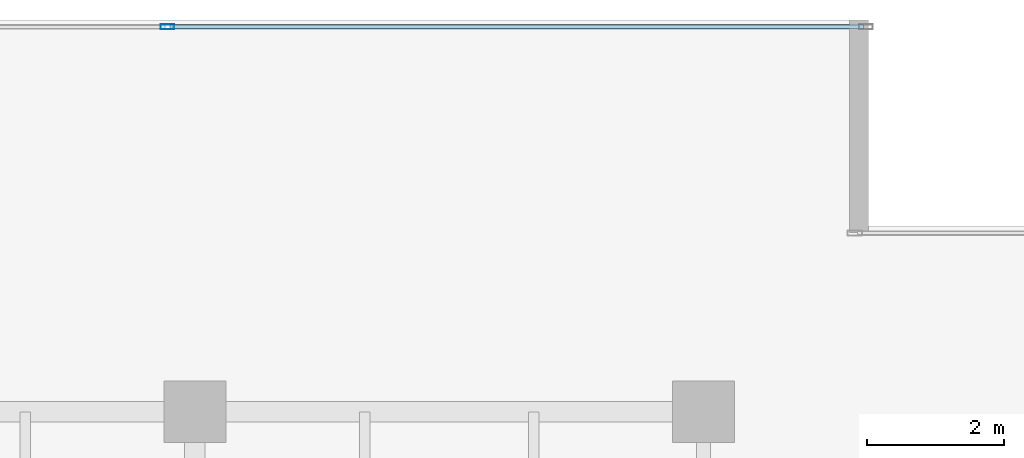
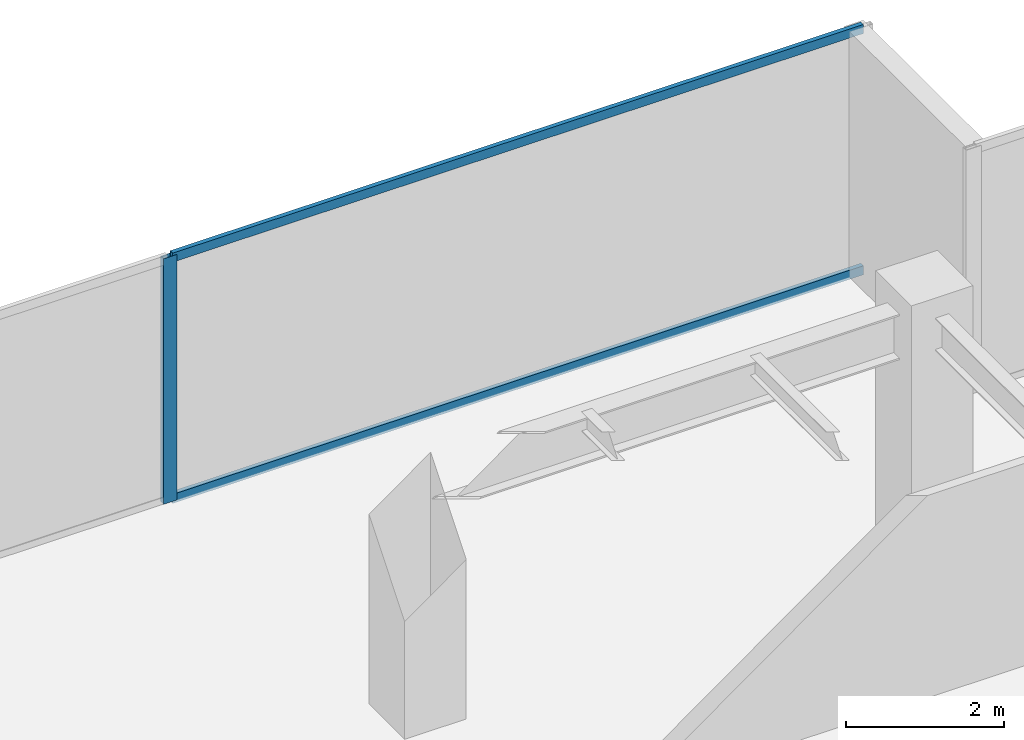
# One storey, part 20 of 30: 3 members, 1 element without a shape of its own.
"""IFC4 building model written with IfcOpenShell, lengths in metres."""

import ifcopenshell
import ifcopenshell.guid

model = None  # the IFC model being written
_history = None  # IfcOwnerHistory: only IFC2X3 demands one
_inside = {}  # id of a spatial element -> (the spatial element, [elements in it])
_under = {}  # id of a project, library or spatial element -> (it, [spatial elements below it])
_declared = {}  # id of a project -> (the project, [libraries it declares])
_typed = {}  # id of a type object -> (the type object, [elements of that type])
_made_of = {}  # id of a material, layer set ... -> (it, [elements and type objects made of it])


def new_model(schema):
    """Start an empty IFC model of exactly this schema.

    Asked for "IFC4X3", IfcOpenShell would pick the latest addendum, in which some entities
    have other attributes; the version numbers below select the first issue.
    IFC2X3 requires an IfcOwnerHistory on every rooted entity: one is made here for all.
    """
    global model, _history
    if schema == "IFC4X3":
        model = ifcopenshell.file(schema_version=(4, 3, 0, 0))
    else:
        model = ifcopenshell.file(schema=schema)
    _inside.clear()
    _under.clear()
    _declared.clear()
    _typed.clear()
    _made_of.clear()
    _history = None
    if model.schema == "IFC2X3":
        org = make("IfcOrganization", Name="unknown")
        user = make(
            "IfcPersonAndOrganization",
            ThePerson=make("IfcPerson", FamilyName="unknown"),
            TheOrganization=org,
        )
        app = make(
            "IfcApplication",
            ApplicationDeveloper=org,
            Version="unknown",
            ApplicationFullName="unknown",
            ApplicationIdentifier="unknown",
        )
        _history = make(
            "IfcOwnerHistory",
            OwningUser=user,
            OwningApplication=app,
            ChangeAction="ADDED",
            CreationDate=0,
        )
    return model


def make(cls, **values):
    """One entity of the class cls with the attributes given. An attribute that is None is left unset."""
    return model.create_entity(
        cls, **{name: value for name, value in values.items() if value is not None}
    )


def rooted(cls, **values):
    """An entity with a GlobalId (a new one), such as an element, a storey or a relation."""
    return make(cls, GlobalId=ifcopenshell.guid.new(), OwnerHistory=_history, **values)


def si_unit(unit_type, name, prefix=None):
    """IfcSIUnit, for example si_unit("LENGTHUNIT", "METRE", prefix="MILLI")."""
    return make("IfcSIUnit", UnitType=unit_type, Prefix=prefix, Name=name)


def assignment(units):
    """IfcUnitAssignment: the units of a project."""
    return None if units is None else make("IfcUnitAssignment", Units=units)


def point(xyz):
    """IfcCartesianPoint."""
    return None if xyz is None else make("IfcCartesianPoint", Coordinates=xyz)


def direction(xyz):
    """IfcDirection."""
    return None if xyz is None else make("IfcDirection", DirectionRatios=xyz)


def frame(location, z_axis=None, x_axis=None):
    """IfcAxis2Placement3D, a coordinate frame: its origin and axes. An axis left out is left unset."""
    return make(
        "IfcAxis2Placement3D",
        Location=point(location),
        Axis=direction(z_axis),
        RefDirection=direction(x_axis),
    )


def frame_2d(location, x_axis=None):
    """IfcAxis2Placement2D, a coordinate frame in the plane: its origin and x axis."""
    return make(
        "IfcAxis2Placement2D", Location=point(location), RefDirection=direction(x_axis)
    )


def origin():
    """The frame at (0, 0, 0) with its axes left unset."""
    return frame((0.0, 0.0, 0.0))


def origin_2d():
    """The frame at (0, 0) in the plane with its x axis left unset."""
    return frame_2d((0.0, 0.0))


def place(relative_to, where):
    """IfcLocalPlacement: puts the frame where relative to a parent placement (None: the world)."""
    return make(
        "IfcLocalPlacement", PlacementRelTo=relative_to, RelativePlacement=where
    )


def context(
    kind, dimensions, precision=None, world=None, true_north=None, identifier=None
):
    """IfcGeometricRepresentationContext, for example the 3D "Model" context."""
    return make(
        "IfcGeometricRepresentationContext",
        ContextIdentifier=identifier,
        ContextType=kind,
        CoordinateSpaceDimension=dimensions,
        Precision=precision,
        WorldCoordinateSystem=world,
        TrueNorth=true_north,
    )


def subcontext(parent, identifier, kind, view, scale=None):
    """IfcGeometricRepresentationSubContext, for example "Body" below "Model"."""
    return make(
        "IfcGeometricRepresentationSubContext",
        ContextIdentifier=identifier,
        ContextType=kind,
        ParentContext=parent,
        TargetScale=scale,
        TargetView=view,
    )


def project(units=None, contexts=None):
    """IfcProject with its units and contexts."""
    return rooted(
        "IfcProject",
        Name="project",
        RepresentationContexts=contexts,
        UnitsInContext=assignment(units),
    )


def spatial(cls, under=None, at=None, **own):
    """A site, building, storey or space (cls), placed at a placement, below another one or the project."""
    s = rooted(cls, ObjectPlacement=at, **own)
    if under is not None:
        _under.setdefault(under.id(), (under, []))[1].append(s)
    return s


def profile(cls, at=None, kind="AREA", **sizes):
    """A parametric profile (cls). Its sizes go by their IFC names, for example OverallWidth=200.0."""
    return make(cls, ProfileType=kind, Position=at, **sizes)


def hollow_rectangle(**sizes):
    """IfcRectangleHollowProfileDef."""
    return profile("IfcRectangleHollowProfileDef", **sizes)


def extrude(swept, where, along, depth):
    """IfcExtrudedAreaSolid: the profile swept, set in the frame where, extruded along a direction by depth."""
    return make(
        "IfcExtrudedAreaSolid",
        SweptArea=swept,
        Position=where,
        ExtrudedDirection=direction(along),
        Depth=depth,
    )


def shape(context_of_items, identifier, shape_type, items):
    """IfcShapeRepresentation: the items that make up one representation, for example the "Body"."""
    return make(
        "IfcShapeRepresentation",
        ContextOfItems=context_of_items,
        RepresentationIdentifier=identifier,
        RepresentationType=shape_type,
        Items=items,
    )


def source(mapping_origin, context_of_items, identifier, shape_type, items):
    """IfcRepresentationMap: a shape defined once, which mapped items show again and again."""
    return make(
        "IfcRepresentationMap",
        MappingOrigin=mapping_origin,
        MappedRepresentation=shape(context_of_items, identifier, shape_type, items),
    )


def transform(
    local_origin,
    x_axis=None,
    y_axis=None,
    z_axis=None,
    scale=None,
    scale2=None,
    scale3=None,
    uniform=True,
):
    """IfcCartesianTransformationOperator3D, or its non-uniform kind. x_axis, y_axis, z_axis: its Axis1, 2, 3."""
    if uniform:
        return make(
            "IfcCartesianTransformationOperator3D",
            Axis1=direction(x_axis),
            Axis2=direction(y_axis),
            LocalOrigin=point(local_origin),
            Scale=scale,
            Axis3=direction(z_axis),
        )
    return make(
        "IfcCartesianTransformationOperator3DnonUniform",
        Axis1=direction(x_axis),
        Axis2=direction(y_axis),
        LocalOrigin=point(local_origin),
        Scale=scale,
        Axis3=direction(z_axis),
        Scale2=scale2,
        Scale3=scale3,
    )


def mapped(mapping_source, mapping_target):
    """IfcMappedItem: shows the shape of a source again, moved by a transform."""
    return make(
        "IfcMappedItem", MappingSource=mapping_source, MappingTarget=mapping_target
    )


def material(Name=None, Category=None):
    """IfcMaterial."""
    return make("IfcMaterial", Name=Name, Category=Category)


def layer(
    of_material, thickness, ventilated=None, Name=None, Category=None, Priority=None
):
    """IfcMaterialLayer: one layer of a wall or slab, of a material (None: an air gap)."""
    return make(
        "IfcMaterialLayer",
        Material=of_material,
        LayerThickness=thickness,
        IsVentilated=ventilated,
        Name=Name,
        Category=Category,
        Priority=Priority,
    )


def layer_set(layers, Name=None):
    """IfcMaterialLayerSet."""
    return make("IfcMaterialLayerSet", MaterialLayers=layers, LayerSetName=Name)


def material_profile(
    of_material, cross_section, Name=None, Category=None, Priority=None
):
    """IfcMaterialProfile: a cross section and its material."""
    return make(
        "IfcMaterialProfile",
        Name=Name,
        Material=of_material,
        Profile=cross_section,
        Priority=Priority,
        Category=Category,
    )


def profile_set(profiles, Name=None, composite=None):
    """IfcMaterialProfileSet."""
    return make(
        "IfcMaterialProfileSet",
        Name=Name,
        MaterialProfiles=profiles,
        CompositeProfile=composite,
    )


def made_of(thing, what):
    """Note that an element or type object is made of a material, layer set ...; save() writes the relation."""
    if what is not None:
        _made_of.setdefault(what.id(), (what, []))[1].append(thing)
    return thing


def type_object(cls, material=None, **own):
    """A type object (cls), such as IfcWallType, which elements share."""
    return made_of(rooted(cls, **own), material)


def type_shapes(of_type, sources):
    """Give a type object the sources (RepresentationMaps) that its elements show as mapped items."""
    of_type.RepresentationMaps = sources


def element(
    cls,
    number,
    at=None,
    inside=None,
    cuts=None,
    type_object=None,
    material=None,
    context=None,
    identifier="Body",
    shape_type=None,
    held_by="IfcProductDefinitionShape",
    body=None,
    shapes=None,
    **own,
):
    """One element of the class cls, such as IfcWall. Its Tag is "e" and its number.

    at: its placement. inside: the storey or other place that contains it. cuts: it is an
    opening in that element (IfcRelVoidsElement). A single representation is given by context,
    identifier, shape_type and body (its items); several are given by shapes. held_by: the class
    of the entity that holds the representations. save() writes the other relations.
    """
    e = rooted(cls, Tag="e%d" % number, ObjectPlacement=at, **own)
    if body is not None:
        shapes = [shape(context, identifier, shape_type, body)]
    if shapes is not None:
        e.Representation = make(held_by, Representations=shapes)
    if inside is not None:
        _inside.setdefault(inside.id(), (inside, []))[1].append(e)
    if cuts is not None:
        rooted(
            "IfcRelVoidsElement", RelatingBuildingElement=cuts, RelatedOpeningElement=e
        )
    if type_object is not None:
        _typed.setdefault(type_object.id(), (type_object, []))[1].append(e)
    return made_of(e, material)


def aggregate(whole, parts):
    """IfcRelAggregates: a whole, such as a stair, and the parts it consists of."""
    return rooted("IfcRelAggregates", RelatingObject=whole, RelatedObjects=parts)


def save(model, path):
    """Write the relations noted so far, then the file.

    IfcRelAggregates (storeys below a building ...), IfcRelContainedInSpatialStructure (elements
    in a storey), IfcRelDefinesByType, IfcRelAssociatesMaterial and IfcRelDeclares: one each for
    every whole, place, type object, material and project.
    """
    for whole, parts in _under.values():
        aggregate(whole, parts)
    for where, things in _inside.values():
        rooted(
            "IfcRelContainedInSpatialStructure",
            RelatedElements=things,
            RelatingStructure=where,
        )
    for kind, things in _typed.values():
        rooted("IfcRelDefinesByType", RelatedObjects=things, RelatingType=kind)
    for what, things in _made_of.values():
        rooted("IfcRelAssociatesMaterial", RelatedObjects=things, RelatingMaterial=what)
    for by, libraries in _declared.values():
        rooted("IfcRelDeclares", RelatingContext=by, RelatedDefinitions=libraries)
    model.write(path)


model = new_model("IFC4")

# Units and contexts
model_context = context("Model", 3, precision=1e-05, world=origin(), true_north=direction((0.0, 1.0)))
body_context = subcontext(model_context, "Body", "Model", "MODEL_VIEW")
ifc_project = project(units=[si_unit("LENGTHUNIT", "METRE"), si_unit("AREAUNIT", "SQUARE_METRE"), si_unit("VOLUMEUNIT", "CUBIC_METRE"), si_unit("PLANEANGLEUNIT", "RADIAN"), si_unit("MASSUNIT", "GRAM", prefix="KILO")], contexts=[model_context])

# Site, building, storey
site_placement = place(None, origin())
site = spatial("IfcSite", under=ifc_project, at=site_placement, CompositionType="ELEMENT")
building_placement = place(site_placement, origin())
building = spatial("IfcBuilding", under=site, at=building_placement, Name="Haelvirn Gate Laboratories", CompositionType="ELEMENT")
storey_placement = place(building_placement, frame((0.0, 0.0, 121.5)))
storey = spatial("IfcBuildingStorey", under=building, at=storey_placement, Name="L29", CompositionType="ELEMENT", Elevation=121.5)

# Curtain wall, members
ifc_material_1 = material(Name="Anodised bronze unitised aluminium & triple low-E glass", Category="aluminium")
ifc_layer = layer(ifc_material_1, 0.179931640625, Name="CW-SYS-3")
ifc_layer_set = layer_set([ifc_layer], Name="Anodised bronze unitised aluminium & triple low-E glass")
curtain_wall_type = type_object("IfcCurtainWallType", Name="CW-SYS-3", PredefinedType="NOTDEFINED", material=ifc_layer_set)
curtain_wall_placement = place(storey_placement, origin())
curtain_wall = element("IfcCurtainWall", 1, at=curtain_wall_placement, inside=storey, type_object=curtain_wall_type, Name="L29 Unitised Curtain Wall CW-L29-P0-E10-1", PredefinedType="NOTDEFINED")
ifc_material_2 = material(Name="Extruded aluminium 6063-T6 (anodised bronze)", Category="aluminium")
ifc_material_profile_1 = material_profile(ifc_material_2, hollow_rectangle(XDim=0.06494140625, YDim=0.139892578125, WallThickness=0.00390625, at=origin_2d()), Name="CWT-140x65x4")
ifc_profile_set_1 = profile_set([ifc_material_profile_1], Name="Extruded aluminium 6063-T6 (anodised bronze)")
member_type_1 = type_object("IfcMemberType", Name="CWT-T140", PredefinedType="USERDEFINED", material=ifc_profile_set_1)
shared_shape_1 = source(origin(), body_context, "Body", "SweptSolid", [
    extrude(hollow_rectangle(XDim=0.06494140625, YDim=0.139892578125, WallThickness=0.00390625, at=origin_2d()), origin(), (0.0, 0.0, 1.0), 10.087646484375),
])
type_shapes(member_type_1, [shared_shape_1])
member_1_placement = place(storey_placement, frame((59.637451171875, 47.199951171875, 0.032470703125), z_axis=(1.0, 0.0, 0.0), x_axis=(0.0, 1.0, 0.0)))
member_1 = element("IfcMember", 2, at=member_1_placement, type_object=member_type_1, Name="CW3 transom 2.1", ObjectType="TRANSOM", PredefinedType="USERDEFINED", context=body_context, shape_type="MappedRepresentation", body=[
    mapped(shared_shape_1, transform((0.0, 0.0, 0.0), scale=1.0)),
])
member_2_placement = place(storey_placement, frame((59.637451171875, 47.199951171875, 3.757568359375), z_axis=(1.0, 0.0, 0.0), x_axis=(0.0, 1.0, 0.0)))
member_2 = element("IfcMember", 3, at=member_2_placement, type_object=member_type_1, Name="CW3 transom 2.2", ObjectType="TRANSOM", PredefinedType="USERDEFINED", context=body_context, shape_type="MappedRepresentation", body=[
    mapped(shared_shape_1, transform((0.0, 0.0, 0.0), scale=1.0)),
])
ifc_material_profile_2 = material_profile(ifc_material_2, hollow_rectangle(XDim=0.074951171875, YDim=0.199951171875, WallThickness=0.0048828125, at=origin_2d()), Name="CWM-200x75x5")
ifc_profile_set_2 = profile_set([ifc_material_profile_2], Name="Extruded aluminium 6063-T6 (anodised bronze)")
member_type_2 = type_object("IfcMemberType", Name="CWM-T200", PredefinedType="MULLION", material=ifc_profile_set_2)
shared_shape_2 = source(origin(), body_context, "Body", "SweptSolid", [
    extrude(hollow_rectangle(XDim=0.074951171875, YDim=0.199951171875, WallThickness=0.0048828125, at=origin_2d()), origin(), (0.0, 0.0, 1.0), 3.7900390625),
])
type_shapes(member_type_2, [shared_shape_2])
member_3_placement = place(storey_placement, frame((59.60009765625, 47.199951171875, 0.0), z_axis=(0.0, 0.0, 1.0), x_axis=(0.0, 1.0, 0.0)))
member_3 = element("IfcMember", 4, at=member_3_placement, type_object=member_type_2, Name="CW3 mullion 2", PredefinedType="MULLION", context=body_context, shape_type="MappedRepresentation", body=[
    mapped(shared_shape_2, transform((0.0, 0.0, 0.0), scale=1.0)),
])
aggregate(curtain_wall, [member_3, member_1, member_2])

save(model, "model.ifc")
